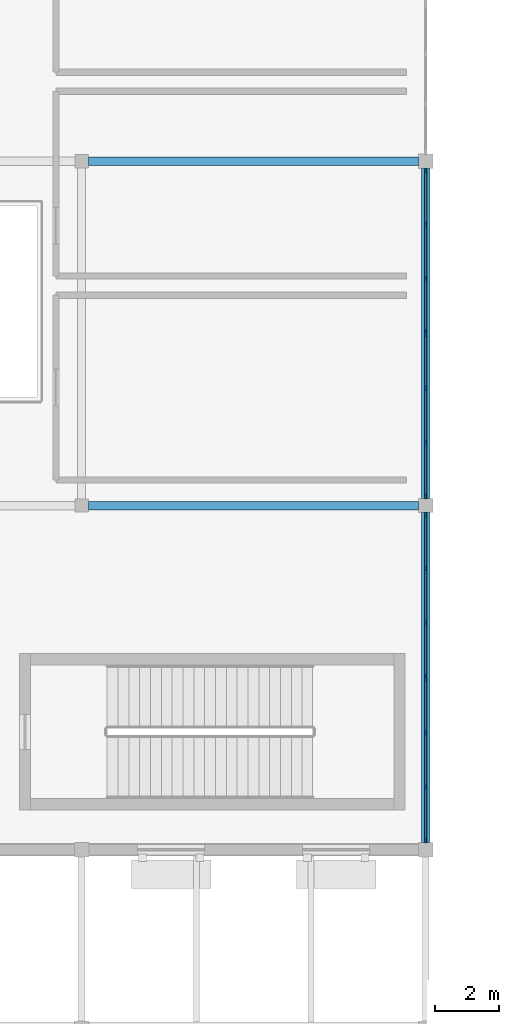
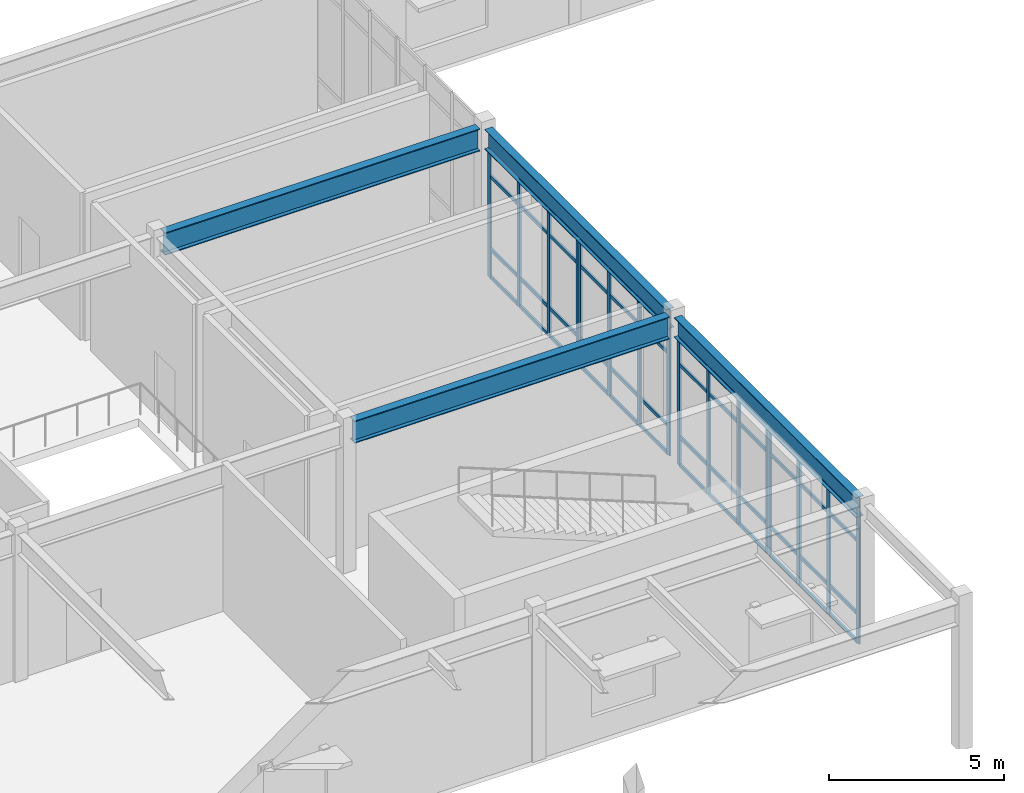
# One storey, part 10 of 72: 63 members, 4 beams, 4 elements without a shape of their own.
"""IFC4 building model written with IfcOpenShell, lengths in metres."""

from ifc_helpers import new_model, si_unit, direction, frame, origin, origin_2d, place, context, subcontext, project, spatial, rectangle, i_section, extrude, material, material_profile, profile_set, type_object, element, aggregate, save


model = new_model("IFC4")

# Units and contexts
model_context = context("Model", 3, precision=1e-05, world=origin(), true_north=direction((0.0, 1.0)))
body_context = subcontext(model_context, "Body", "Model", "MODEL_VIEW")
ifc_project = project(units=[si_unit("LENGTHUNIT", "METRE"), si_unit("AREAUNIT", "SQUARE_METRE"), si_unit("VOLUMEUNIT", "CUBIC_METRE"), si_unit("PLANEANGLEUNIT", "RADIAN"), si_unit("MASSUNIT", "GRAM", prefix="KILO")], contexts=[model_context])

# Site, building, storey
site_placement = place(None, origin())
site = spatial("IfcSite", under=ifc_project, at=site_placement, CompositionType="ELEMENT")
building_placement = place(site_placement, origin())
building = spatial("IfcBuilding", under=site, at=building_placement, Name="Veldera Park Congress Hotel", CompositionType="ELEMENT")
storey_placement = place(building_placement, frame((0.0, 0.0, 5.39990234375)))
storey = spatial("IfcBuildingStorey", under=building, at=storey_placement, Name="L01", CompositionType="ELEMENT", Elevation=5.39990234375)

# Beams
ifc_material_1 = material(Name="Steel ASTM A992 Gr.50", Category="steel")
ifc_material_profile_1 = material_profile(ifc_material_1, i_section(OverallWidth=0.256103515625, OverallDepth=0.693115234375, WebThickness=0.014404296875, FlangeThickness=0.023681640625, at=origin_2d()), Name="W27X114")
ifc_profile_set_1 = profile_set([ifc_material_profile_1], Name="Steel ASTM A992 Gr.50")
beam_type_1 = type_object("IfcBeamType", Name="BM-W27", PredefinedType="BEAM", material=ifc_profile_set_1)
for number, where, z_axis, x_axis, name in (
    (1, (-45.800048828125, -51.97509765625, 4.78369140625), (0.0, 1.0, 0.0), (-1.0, 0.0, 0.0), "L01 Girder BM-W27 688"),
    (2, (-45.800048828125, -41.175048828125, 4.78369140625), (0.0, 1.0, 0.0), (-1.0, 0.0, 0.0), "L01 Girder BM-W27 689"),
):
    element("IfcBeam", number, at=place(storey_placement, frame(where, z_axis=z_axis, x_axis=x_axis)), inside=storey, type_object=beam_type_1, Name=name, PredefinedType="BEAM", context=body_context, shape_type="SweptSolid", body=[
        extrude(i_section(OverallWidth=0.256103515625, OverallDepth=0.693115234375, WebThickness=0.014404296875, FlangeThickness=0.023681640625, at=origin_2d()), origin(), (0.0, 0.0, 1.0), 10.35009765625),
    ])
ifc_material_profile_2 = material_profile(ifc_material_1, i_section(OverallWidth=0.26708984375, OverallDepth=0.779052734375, WebThickness=0.0166015625, FlangeThickness=0.030029296875, at=origin_2d()), Name="W30X148")
ifc_profile_set_2 = profile_set([ifc_material_profile_2], Name="Steel ASTM A992 Gr.50")
beam_type_2 = type_object("IfcBeamType", Name="BM-W30", PredefinedType="BEAM", material=ifc_profile_set_2)
for number, where, z_axis, x_axis, name in (
    (3, (-56.389892578125, -41.39990234375, 4.740478515625), (1.0, 0.0, 0.0), (0.0, 1.0, 0.0), "L01 Girder BM-W30 559"),
    (4, (-56.389892578125, -30.60009765625, 4.740478515625), (1.0, 0.0, 0.0), (0.0, 1.0, 0.0), "L01 Girder BM-W30 564"),
):
    element("IfcBeam", number, at=place(storey_placement, frame(where, z_axis=z_axis, x_axis=x_axis)), inside=storey, type_object=beam_type_2, Name=name, PredefinedType="BEAM", context=body_context, shape_type="SweptSolid", body=[
        extrude(i_section(OverallWidth=0.26708984375, OverallDepth=0.779052734375, WebThickness=0.0166015625, FlangeThickness=0.030029296875, at=origin_2d()), origin(), (0.0, 0.0, 1.0), 10.364990234375),
    ])

# Curtain wall, members
ifc_material_2 = material(Name="Low-E Triple Insulating Glass Unit (SHGC 0.22)", Category="glass")
curtain_wall_type = type_object("IfcCurtainWallType", Name="CW-SPA", PredefinedType="NOTDEFINED", material=ifc_material_2)
curtain_wall_1_placement = place(storey_placement, origin())
curtain_wall_1 = element("IfcCurtainWall", 5, at=curtain_wall_1_placement, inside=storey, type_object=curtain_wall_type, Name="L01 Curtain Wall CW3-V3E-L01-039", PredefinedType="NOTDEFINED")
ifc_material_3 = material(Name="Anodised Aluminium Alloy 6063-T6", Category="aluminium")
ifc_material_profile_3 = material_profile(ifc_material_3, rectangle(XDim=0.06005859375, YDim=0.159912109375, at=origin_2d()), Name="ALU 60x160")
ifc_profile_set_3 = profile_set([ifc_material_profile_3], Name="Anodised Aluminium Alloy 6063-T6")
member_type_1 = type_object("IfcMemberType", Name="CWM-160", PredefinedType="MULLION", material=ifc_profile_set_3)
member_1_placement = place(storey_placement, frame((-45.800048828125, -51.905029296875, 0.0), z_axis=(0.0, 0.0, 1.0), x_axis=(-1.0, 0.0, 0.0)))
member_1 = element("IfcMember", 6, at=member_1_placement, type_object=member_type_1, Name="CW-SPA mullion 1", PredefinedType="MULLION", context=body_context, shape_type="SweptSolid", body=[
    extrude(rectangle(XDim=0.06005859375, YDim=0.159912109375, at=origin_2d()), origin(), (0.0, 0.0, 1.0), 4.43212890625),
])
member_2_placement = place(storey_placement, frame((-45.800048828125, -50.228271484375, 0.0), z_axis=(0.0, 0.0, 1.0), x_axis=(-1.0, 0.0, 0.0)))
member_2 = element("IfcMember", 7, at=member_2_placement, type_object=member_type_1, Name="CW-SPA mullion 2", PredefinedType="MULLION", context=body_context, shape_type="SweptSolid", body=[
    extrude(rectangle(XDim=0.06005859375, YDim=0.159912109375, at=origin_2d()), origin(), (0.0, 0.0, 1.0), 4.43212890625),
])
member_3_placement = place(storey_placement, frame((-45.800048828125, -48.521728515625, 0.0), z_axis=(0.0, 0.0, 1.0), x_axis=(-1.0, 0.0, 0.0)))
member_3 = element("IfcMember", 8, at=member_3_placement, type_object=member_type_1, Name="CW-SPA mullion 3", PredefinedType="MULLION", context=body_context, shape_type="SweptSolid", body=[
    extrude(rectangle(XDim=0.06005859375, YDim=0.159912109375, at=origin_2d()), origin(), (0.0, 0.0, 1.0), 4.43212890625),
])
member_4_placement = place(storey_placement, frame((-45.800048828125, -46.844970703125, 0.0), z_axis=(0.0, 0.0, 1.0), x_axis=(-1.0, 0.0, 0.0)))
member_4 = element("IfcMember", 9, at=member_4_placement, type_object=member_type_1, Name="CW-SPA mullion 4", PredefinedType="MULLION", context=body_context, shape_type="SweptSolid", body=[
    extrude(rectangle(XDim=0.06005859375, YDim=0.159912109375, at=origin_2d()), origin(), (0.0, 0.0, 1.0), 4.43212890625),
])

curtain_wall_2_placement = place(storey_placement, origin())
curtain_wall_2 = element("IfcCurtainWall", 10, at=curtain_wall_2_placement, inside=storey, type_object=curtain_wall_type, Name="L01 Curtain Wall CW3-V3E-L01-040", PredefinedType="NOTDEFINED")
member_5_placement = place(storey_placement, frame((-45.800048828125, -46.7548828125, 0.0), z_axis=(0.0, 0.0, 1.0), x_axis=(-1.0, 0.0, 0.0)))
member_5 = element("IfcMember", 11, at=member_5_placement, type_object=member_type_1, Name="CW-SPA mullion 1", PredefinedType="MULLION", context=body_context, shape_type="SweptSolid", body=[
    extrude(rectangle(XDim=0.06005859375, YDim=0.159912109375, at=origin_2d()), origin(), (0.0, 0.0, 1.0), 4.43212890625),
])
member_6_placement = place(storey_placement, frame((-45.800048828125, -45.078369140625, 0.0), z_axis=(0.0, 0.0, 1.0), x_axis=(-1.0, 0.0, 0.0)))
member_6 = element("IfcMember", 12, at=member_6_placement, type_object=member_type_1, Name="CW-SPA mullion 2", PredefinedType="MULLION", context=body_context, shape_type="SweptSolid", body=[
    extrude(rectangle(XDim=0.06005859375, YDim=0.159912109375, at=origin_2d()), origin(), (0.0, 0.0, 1.0), 4.43212890625),
])
member_7_placement = place(storey_placement, frame((-45.800048828125, -43.37158203125, 0.0), z_axis=(0.0, 0.0, 1.0), x_axis=(-1.0, 0.0, 0.0)))
member_7 = element("IfcMember", 13, at=member_7_placement, type_object=member_type_1, Name="CW-SPA mullion 3", PredefinedType="MULLION", context=body_context, shape_type="SweptSolid", body=[
    extrude(rectangle(XDim=0.06005859375, YDim=0.159912109375, at=origin_2d()), origin(), (0.0, 0.0, 1.0), 4.43212890625),
])
member_8_placement = place(storey_placement, frame((-45.800048828125, -41.695068359375, 0.0), z_axis=(0.0, 0.0, 1.0), x_axis=(-1.0, 0.0, 0.0)))
member_8 = element("IfcMember", 14, at=member_8_placement, type_object=member_type_1, Name="CW-SPA mullion 4", PredefinedType="MULLION", context=body_context, shape_type="SweptSolid", body=[
    extrude(rectangle(XDim=0.06005859375, YDim=0.159912109375, at=origin_2d()), origin(), (0.0, 0.0, 1.0), 4.43212890625),
])

curtain_wall_3_placement = place(storey_placement, origin())
curtain_wall_3 = element("IfcCurtainWall", 15, at=curtain_wall_3_placement, inside=storey, type_object=curtain_wall_type, Name="L01 Curtain Wall CW3-V3E-L01-041", PredefinedType="NOTDEFINED")
member_9_placement = place(storey_placement, frame((-45.800048828125, -41.10498046875, 0.0), z_axis=(0.0, 0.0, 1.0), x_axis=(-1.0, 0.0, 0.0)))
member_9 = element("IfcMember", 16, at=member_9_placement, type_object=member_type_1, Name="CW-SPA mullion 1", PredefinedType="MULLION", context=body_context, shape_type="SweptSolid", body=[
    extrude(rectangle(XDim=0.06005859375, YDim=0.159912109375, at=origin_2d()), origin(), (0.0, 0.0, 1.0), 4.43212890625),
])
member_10_placement = place(storey_placement, frame((-45.800048828125, -39.42822265625, 0.0), z_axis=(0.0, 0.0, 1.0), x_axis=(-1.0, 0.0, 0.0)))
member_10 = element("IfcMember", 17, at=member_10_placement, type_object=member_type_1, Name="CW-SPA mullion 2", PredefinedType="MULLION", context=body_context, shape_type="SweptSolid", body=[
    extrude(rectangle(XDim=0.06005859375, YDim=0.159912109375, at=origin_2d()), origin(), (0.0, 0.0, 1.0), 4.43212890625),
])
member_11_placement = place(storey_placement, frame((-45.800048828125, -37.7216796875, 0.0), z_axis=(0.0, 0.0, 1.0), x_axis=(-1.0, 0.0, 0.0)))
member_11 = element("IfcMember", 18, at=member_11_placement, type_object=member_type_1, Name="CW-SPA mullion 3", PredefinedType="MULLION", context=body_context, shape_type="SweptSolid", body=[
    extrude(rectangle(XDim=0.06005859375, YDim=0.159912109375, at=origin_2d()), origin(), (0.0, 0.0, 1.0), 4.43212890625),
])
member_12_placement = place(storey_placement, frame((-45.800048828125, -36.044921875, 0.0), z_axis=(0.0, 0.0, 1.0), x_axis=(-1.0, 0.0, 0.0)))
member_12 = element("IfcMember", 19, at=member_12_placement, type_object=member_type_1, Name="CW-SPA mullion 4", PredefinedType="MULLION", context=body_context, shape_type="SweptSolid", body=[
    extrude(rectangle(XDim=0.06005859375, YDim=0.159912109375, at=origin_2d()), origin(), (0.0, 0.0, 1.0), 4.43212890625),
])

curtain_wall_4_placement = place(storey_placement, origin())
curtain_wall_4 = element("IfcCurtainWall", 20, at=curtain_wall_4_placement, inside=storey, type_object=curtain_wall_type, Name="L01 Curtain Wall CW3-V3E-L01-042", PredefinedType="NOTDEFINED")
member_13_placement = place(storey_placement, frame((-45.800048828125, -35.955078125, 0.0), z_axis=(0.0, 0.0, 1.0), x_axis=(-1.0, 0.0, 0.0)))
member_13 = element("IfcMember", 21, at=member_13_placement, type_object=member_type_1, Name="CW-SPA mullion 1", PredefinedType="MULLION", context=body_context, shape_type="SweptSolid", body=[
    extrude(rectangle(XDim=0.06005859375, YDim=0.159912109375, at=origin_2d()), origin(), (0.0, 0.0, 1.0), 4.43212890625),
])
member_14_placement = place(storey_placement, frame((-45.800048828125, -34.2783203125, 0.0), z_axis=(0.0, 0.0, 1.0), x_axis=(-1.0, 0.0, 0.0)))
member_14 = element("IfcMember", 22, at=member_14_placement, type_object=member_type_1, Name="CW-SPA mullion 2", PredefinedType="MULLION", context=body_context, shape_type="SweptSolid", body=[
    extrude(rectangle(XDim=0.06005859375, YDim=0.159912109375, at=origin_2d()), origin(), (0.0, 0.0, 1.0), 4.43212890625),
])
member_15_placement = place(storey_placement, frame((-45.800048828125, -32.57177734375, 0.0), z_axis=(0.0, 0.0, 1.0), x_axis=(-1.0, 0.0, 0.0)))
member_15 = element("IfcMember", 23, at=member_15_placement, type_object=member_type_1, Name="CW-SPA mullion 3", PredefinedType="MULLION", context=body_context, shape_type="SweptSolid", body=[
    extrude(rectangle(XDim=0.06005859375, YDim=0.159912109375, at=origin_2d()), origin(), (0.0, 0.0, 1.0), 4.43212890625),
])
member_16_placement = place(storey_placement, frame((-45.800048828125, -30.89501953125, 0.0), z_axis=(0.0, 0.0, 1.0), x_axis=(-1.0, 0.0, 0.0)))
member_16 = element("IfcMember", 24, at=member_16_placement, type_object=member_type_1, Name="CW-SPA mullion 4", PredefinedType="MULLION", context=body_context, shape_type="SweptSolid", body=[
    extrude(rectangle(XDim=0.06005859375, YDim=0.159912109375, at=origin_2d()), origin(), (0.0, 0.0, 1.0), 4.43212890625),
])

# Member
ifc_material_profile_4 = material_profile(ifc_material_3, rectangle(XDim=0.06005859375, YDim=0.1201171875, at=origin_2d()), Name="ALU 60x120")
ifc_profile_set_4 = profile_set([ifc_material_profile_4], Name="Anodised Aluminium Alloy 6063-T6")
member_type_2 = type_object("IfcMemberType", Name="CWT-120", PredefinedType="USERDEFINED", material=ifc_profile_set_4)
member_17_placement = place(storey_placement, frame((-45.800048828125, -51.875, 0.030029296875), z_axis=(0.0, 1.0, 0.0), x_axis=(-1.0, 0.0, 0.0)))
member_17 = element("IfcMember", 25, at=member_17_placement, type_object=member_type_2, Name="CW-SPA transom 1.1", ObjectType="TRANSOM", PredefinedType="USERDEFINED", context=body_context, shape_type="SweptSolid", body=[
    extrude(rectangle(XDim=0.06005859375, YDim=0.1201171875, at=origin_2d()), origin(), (0.0, 0.0, 1.0), 1.61669921875),
])

member_18_placement = place(storey_placement, frame((-45.800048828125, -51.875, 1.0), z_axis=(0.0, 1.0, 0.0), x_axis=(-1.0, 0.0, 0.0)))
member_18 = element("IfcMember", 26, at=member_18_placement, type_object=member_type_2, Name="CW-SPA transom 1.2", ObjectType="TRANSOM", PredefinedType="USERDEFINED", context=body_context, shape_type="SweptSolid", body=[
    extrude(rectangle(XDim=0.06005859375, YDim=0.1201171875, at=origin_2d()), origin(), (0.0, 0.0, 1.0), 1.61669921875),
])

member_19_placement = place(storey_placement, frame((-45.800048828125, -51.875, 3.531982421875), z_axis=(0.0, 1.0, 0.0), x_axis=(-1.0, 0.0, 0.0)))
member_19 = element("IfcMember", 27, at=member_19_placement, type_object=member_type_2, Name="CW-SPA transom 1.3", ObjectType="TRANSOM", PredefinedType="USERDEFINED", context=body_context, shape_type="SweptSolid", body=[
    extrude(rectangle(XDim=0.06005859375, YDim=0.1201171875, at=origin_2d()), origin(), (0.0, 0.0, 1.0), 1.61669921875),
])

member_20_placement = place(storey_placement, frame((-45.800048828125, -51.875, 4.402099609375), z_axis=(0.0, 1.0, 0.0), x_axis=(-1.0, 0.0, 0.0)))
member_20 = element("IfcMember", 28, at=member_20_placement, type_object=member_type_2, Name="CW-SPA transom 1.4", ObjectType="TRANSOM", PredefinedType="USERDEFINED", context=body_context, shape_type="SweptSolid", body=[
    extrude(rectangle(XDim=0.06005859375, YDim=0.1201171875, at=origin_2d()), origin(), (0.0, 0.0, 1.0), 1.61669921875),
])

member_21_placement = place(storey_placement, frame((-45.800048828125, -50.1982421875, 0.030029296875), z_axis=(0.0, 1.0, 0.0), x_axis=(-1.0, 0.0, 0.0)))
member_21 = element("IfcMember", 29, at=member_21_placement, type_object=member_type_2, Name="CW-SPA transom 2.1", ObjectType="TRANSOM", PredefinedType="USERDEFINED", context=body_context, shape_type="SweptSolid", body=[
    extrude(rectangle(XDim=0.06005859375, YDim=0.1201171875, at=origin_2d()), origin(), (0.0, 0.0, 1.0), 1.646484375),
])

member_22_placement = place(storey_placement, frame((-45.800048828125, -50.1982421875, 1.0), z_axis=(0.0, 1.0, 0.0), x_axis=(-1.0, 0.0, 0.0)))
member_22 = element("IfcMember", 30, at=member_22_placement, type_object=member_type_2, Name="CW-SPA transom 2.2", ObjectType="TRANSOM", PredefinedType="USERDEFINED", context=body_context, shape_type="SweptSolid", body=[
    extrude(rectangle(XDim=0.06005859375, YDim=0.1201171875, at=origin_2d()), origin(), (0.0, 0.0, 1.0), 1.646484375),
])

member_23_placement = place(storey_placement, frame((-45.800048828125, -50.1982421875, 3.531982421875), z_axis=(0.0, 1.0, 0.0), x_axis=(-1.0, 0.0, 0.0)))
member_23 = element("IfcMember", 31, at=member_23_placement, type_object=member_type_2, Name="CW-SPA transom 2.3", ObjectType="TRANSOM", PredefinedType="USERDEFINED", context=body_context, shape_type="SweptSolid", body=[
    extrude(rectangle(XDim=0.06005859375, YDim=0.1201171875, at=origin_2d()), origin(), (0.0, 0.0, 1.0), 1.646484375),
])

member_24_placement = place(storey_placement, frame((-45.800048828125, -50.1982421875, 4.402099609375), z_axis=(0.0, 1.0, 0.0), x_axis=(-1.0, 0.0, 0.0)))
member_24 = element("IfcMember", 32, at=member_24_placement, type_object=member_type_2, Name="CW-SPA transom 2.4", ObjectType="TRANSOM", PredefinedType="USERDEFINED", context=body_context, shape_type="SweptSolid", body=[
    extrude(rectangle(XDim=0.06005859375, YDim=0.1201171875, at=origin_2d()), origin(), (0.0, 0.0, 1.0), 1.646484375),
])

member_25_placement = place(storey_placement, frame((-45.800048828125, -48.49169921875, 0.030029296875), z_axis=(0.0, 1.0, 0.0), x_axis=(-1.0, 0.0, 0.0)))
member_25 = element("IfcMember", 33, at=member_25_placement, type_object=member_type_2, Name="CW-SPA transom 3.1", ObjectType="TRANSOM", PredefinedType="USERDEFINED", context=body_context, shape_type="SweptSolid", body=[
    extrude(rectangle(XDim=0.06005859375, YDim=0.1201171875, at=origin_2d()), origin(), (0.0, 0.0, 1.0), 1.61669921875),
])

member_26_placement = place(storey_placement, frame((-45.800048828125, -48.49169921875, 1.0), z_axis=(0.0, 1.0, 0.0), x_axis=(-1.0, 0.0, 0.0)))
member_26 = element("IfcMember", 34, at=member_26_placement, type_object=member_type_2, Name="CW-SPA transom 3.2", ObjectType="TRANSOM", PredefinedType="USERDEFINED", context=body_context, shape_type="SweptSolid", body=[
    extrude(rectangle(XDim=0.06005859375, YDim=0.1201171875, at=origin_2d()), origin(), (0.0, 0.0, 1.0), 1.61669921875),
])

member_27_placement = place(storey_placement, frame((-45.800048828125, -48.49169921875, 3.531982421875), z_axis=(0.0, 1.0, 0.0), x_axis=(-1.0, 0.0, 0.0)))
member_27 = element("IfcMember", 35, at=member_27_placement, type_object=member_type_2, Name="CW-SPA transom 3.3", ObjectType="TRANSOM", PredefinedType="USERDEFINED", context=body_context, shape_type="SweptSolid", body=[
    extrude(rectangle(XDim=0.06005859375, YDim=0.1201171875, at=origin_2d()), origin(), (0.0, 0.0, 1.0), 1.61669921875),
])

member_28_placement = place(storey_placement, frame((-45.800048828125, -48.49169921875, 4.402099609375), z_axis=(0.0, 1.0, 0.0), x_axis=(-1.0, 0.0, 0.0)))
member_28 = element("IfcMember", 36, at=member_28_placement, type_object=member_type_2, Name="CW-SPA transom 3.4", ObjectType="TRANSOM", PredefinedType="USERDEFINED", context=body_context, shape_type="SweptSolid", body=[
    extrude(rectangle(XDim=0.06005859375, YDim=0.1201171875, at=origin_2d()), origin(), (0.0, 0.0, 1.0), 1.61669921875),
])

aggregate(curtain_wall_1, [member_1, member_2, member_3, member_4, member_17, member_18, member_19, member_20, member_21, member_22, member_23, member_24, member_25, member_26, member_27, member_28])

member_29_placement = place(storey_placement, frame((-45.800048828125, -46.72509765625, 0.030029296875), z_axis=(0.0, 1.0, 0.0), x_axis=(-1.0, 0.0, 0.0)))
member_29 = element("IfcMember", 37, at=member_29_placement, type_object=member_type_2, Name="CW-SPA transom 1.1", ObjectType="TRANSOM", PredefinedType="USERDEFINED", context=body_context, shape_type="SweptSolid", body=[
    extrude(rectangle(XDim=0.06005859375, YDim=0.1201171875, at=origin_2d()), origin(), (0.0, 0.0, 1.0), 1.61669921875),
])

member_30_placement = place(storey_placement, frame((-45.800048828125, -46.72509765625, 1.0), z_axis=(0.0, 1.0, 0.0), x_axis=(-1.0, 0.0, 0.0)))
member_30 = element("IfcMember", 38, at=member_30_placement, type_object=member_type_2, Name="CW-SPA transom 1.2", ObjectType="TRANSOM", PredefinedType="USERDEFINED", context=body_context, shape_type="SweptSolid", body=[
    extrude(rectangle(XDim=0.06005859375, YDim=0.1201171875, at=origin_2d()), origin(), (0.0, 0.0, 1.0), 1.61669921875),
])

member_31_placement = place(storey_placement, frame((-45.800048828125, -46.72509765625, 3.531982421875), z_axis=(0.0, 1.0, 0.0), x_axis=(-1.0, 0.0, 0.0)))
member_31 = element("IfcMember", 39, at=member_31_placement, type_object=member_type_2, Name="CW-SPA transom 1.3", ObjectType="TRANSOM", PredefinedType="USERDEFINED", context=body_context, shape_type="SweptSolid", body=[
    extrude(rectangle(XDim=0.06005859375, YDim=0.1201171875, at=origin_2d()), origin(), (0.0, 0.0, 1.0), 1.61669921875),
])

member_32_placement = place(storey_placement, frame((-45.800048828125, -46.72509765625, 4.402099609375), z_axis=(0.0, 1.0, 0.0), x_axis=(-1.0, 0.0, 0.0)))
member_32 = element("IfcMember", 40, at=member_32_placement, type_object=member_type_2, Name="CW-SPA transom 1.4", ObjectType="TRANSOM", PredefinedType="USERDEFINED", context=body_context, shape_type="SweptSolid", body=[
    extrude(rectangle(XDim=0.06005859375, YDim=0.1201171875, at=origin_2d()), origin(), (0.0, 0.0, 1.0), 1.61669921875),
])

member_33_placement = place(storey_placement, frame((-45.800048828125, -45.04833984375, 0.030029296875), z_axis=(0.0, 1.0, 0.0), x_axis=(-1.0, 0.0, 0.0)))
member_33 = element("IfcMember", 41, at=member_33_placement, type_object=member_type_2, Name="CW-SPA transom 2.1", ObjectType="TRANSOM", PredefinedType="USERDEFINED", context=body_context, shape_type="SweptSolid", body=[
    extrude(rectangle(XDim=0.06005859375, YDim=0.1201171875, at=origin_2d()), origin(), (0.0, 0.0, 1.0), 1.646728515625),
])

member_34_placement = place(storey_placement, frame((-45.800048828125, -45.04833984375, 1.0), z_axis=(0.0, 1.0, 0.0), x_axis=(-1.0, 0.0, 0.0)))
member_34 = element("IfcMember", 42, at=member_34_placement, type_object=member_type_2, Name="CW-SPA transom 2.2", ObjectType="TRANSOM", PredefinedType="USERDEFINED", context=body_context, shape_type="SweptSolid", body=[
    extrude(rectangle(XDim=0.06005859375, YDim=0.1201171875, at=origin_2d()), origin(), (0.0, 0.0, 1.0), 1.646728515625),
])

member_35_placement = place(storey_placement, frame((-45.800048828125, -45.04833984375, 3.531982421875), z_axis=(0.0, 1.0, 0.0), x_axis=(-1.0, 0.0, 0.0)))
member_35 = element("IfcMember", 43, at=member_35_placement, type_object=member_type_2, Name="CW-SPA transom 2.3", ObjectType="TRANSOM", PredefinedType="USERDEFINED", context=body_context, shape_type="SweptSolid", body=[
    extrude(rectangle(XDim=0.06005859375, YDim=0.1201171875, at=origin_2d()), origin(), (0.0, 0.0, 1.0), 1.646728515625),
])

member_36_placement = place(storey_placement, frame((-45.800048828125, -45.04833984375, 4.402099609375), z_axis=(0.0, 1.0, 0.0), x_axis=(-1.0, 0.0, 0.0)))
member_36 = element("IfcMember", 44, at=member_36_placement, type_object=member_type_2, Name="CW-SPA transom 2.4", ObjectType="TRANSOM", PredefinedType="USERDEFINED", context=body_context, shape_type="SweptSolid", body=[
    extrude(rectangle(XDim=0.06005859375, YDim=0.1201171875, at=origin_2d()), origin(), (0.0, 0.0, 1.0), 1.646728515625),
])

member_37_placement = place(storey_placement, frame((-45.800048828125, -43.341552734375, 0.030029296875), z_axis=(0.0, 1.0, 0.0), x_axis=(-1.0, 0.0, 0.0)))
member_37 = element("IfcMember", 45, at=member_37_placement, type_object=member_type_2, Name="CW-SPA transom 3.1", ObjectType="TRANSOM", PredefinedType="USERDEFINED", context=body_context, shape_type="SweptSolid", body=[
    extrude(rectangle(XDim=0.06005859375, YDim=0.1201171875, at=origin_2d()), origin(), (0.0, 0.0, 1.0), 1.616455078125),
])

member_38_placement = place(storey_placement, frame((-45.800048828125, -43.341552734375, 1.0), z_axis=(0.0, 1.0, 0.0), x_axis=(-1.0, 0.0, 0.0)))
member_38 = element("IfcMember", 46, at=member_38_placement, type_object=member_type_2, Name="CW-SPA transom 3.2", ObjectType="TRANSOM", PredefinedType="USERDEFINED", context=body_context, shape_type="SweptSolid", body=[
    extrude(rectangle(XDim=0.06005859375, YDim=0.1201171875, at=origin_2d()), origin(), (0.0, 0.0, 1.0), 1.616455078125),
])

member_39_placement = place(storey_placement, frame((-45.800048828125, -43.341552734375, 3.531982421875), z_axis=(0.0, 1.0, 0.0), x_axis=(-1.0, 0.0, 0.0)))
member_39 = element("IfcMember", 47, at=member_39_placement, type_object=member_type_2, Name="CW-SPA transom 3.3", ObjectType="TRANSOM", PredefinedType="USERDEFINED", context=body_context, shape_type="SweptSolid", body=[
    extrude(rectangle(XDim=0.06005859375, YDim=0.1201171875, at=origin_2d()), origin(), (0.0, 0.0, 1.0), 1.616455078125),
])

member_40_placement = place(storey_placement, frame((-45.800048828125, -43.341552734375, 4.402099609375), z_axis=(0.0, 1.0, 0.0), x_axis=(-1.0, 0.0, 0.0)))
member_40 = element("IfcMember", 48, at=member_40_placement, type_object=member_type_2, Name="CW-SPA transom 3.4", ObjectType="TRANSOM", PredefinedType="USERDEFINED", context=body_context, shape_type="SweptSolid", body=[
    extrude(rectangle(XDim=0.06005859375, YDim=0.1201171875, at=origin_2d()), origin(), (0.0, 0.0, 1.0), 1.616455078125),
])

aggregate(curtain_wall_2, [member_5, member_6, member_7, member_8, member_29, member_30, member_31, member_32, member_33, member_34, member_35, member_36, member_37, member_38, member_39, member_40])

member_41_placement = place(storey_placement, frame((-45.800048828125, -41.074951171875, 0.030029296875), z_axis=(0.0, 1.0, 0.0), x_axis=(-1.0, 0.0, 0.0)))
member_41 = element("IfcMember", 49, at=member_41_placement, type_object=member_type_2, Name="CW-SPA transom 1.1", ObjectType="TRANSOM", PredefinedType="USERDEFINED", context=body_context, shape_type="SweptSolid", body=[
    extrude(rectangle(XDim=0.06005859375, YDim=0.1201171875, at=origin_2d()), origin(), (0.0, 0.0, 1.0), 1.61669921875),
])

member_42_placement = place(storey_placement, frame((-45.800048828125, -41.074951171875, 1.0), z_axis=(0.0, 1.0, 0.0), x_axis=(-1.0, 0.0, 0.0)))
member_42 = element("IfcMember", 50, at=member_42_placement, type_object=member_type_2, Name="CW-SPA transom 1.2", ObjectType="TRANSOM", PredefinedType="USERDEFINED", context=body_context, shape_type="SweptSolid", body=[
    extrude(rectangle(XDim=0.06005859375, YDim=0.1201171875, at=origin_2d()), origin(), (0.0, 0.0, 1.0), 1.61669921875),
])

member_43_placement = place(storey_placement, frame((-45.800048828125, -41.074951171875, 3.531982421875), z_axis=(0.0, 1.0, 0.0), x_axis=(-1.0, 0.0, 0.0)))
member_43 = element("IfcMember", 51, at=member_43_placement, type_object=member_type_2, Name="CW-SPA transom 1.3", ObjectType="TRANSOM", PredefinedType="USERDEFINED", context=body_context, shape_type="SweptSolid", body=[
    extrude(rectangle(XDim=0.06005859375, YDim=0.1201171875, at=origin_2d()), origin(), (0.0, 0.0, 1.0), 1.61669921875),
])

member_44_placement = place(storey_placement, frame((-45.800048828125, -41.074951171875, 4.402099609375), z_axis=(0.0, 1.0, 0.0), x_axis=(-1.0, 0.0, 0.0)))
member_44 = element("IfcMember", 52, at=member_44_placement, type_object=member_type_2, Name="CW-SPA transom 1.4", ObjectType="TRANSOM", PredefinedType="USERDEFINED", context=body_context, shape_type="SweptSolid", body=[
    extrude(rectangle(XDim=0.06005859375, YDim=0.1201171875, at=origin_2d()), origin(), (0.0, 0.0, 1.0), 1.61669921875),
])

member_45_placement = place(storey_placement, frame((-45.800048828125, -39.3984375, 0.030029296875), z_axis=(0.0, 1.0, 0.0), x_axis=(-1.0, 0.0, 0.0)))
member_45 = element("IfcMember", 53, at=member_45_placement, type_object=member_type_2, Name="CW-SPA transom 2.1", ObjectType="TRANSOM", PredefinedType="USERDEFINED", context=body_context, shape_type="SweptSolid", body=[
    extrude(rectangle(XDim=0.06005859375, YDim=0.1201171875, at=origin_2d()), origin(), (0.0, 0.0, 1.0), 1.646728515625),
])

member_46_placement = place(storey_placement, frame((-45.800048828125, -39.3984375, 1.0), z_axis=(0.0, 1.0, 0.0), x_axis=(-1.0, 0.0, 0.0)))
member_46 = element("IfcMember", 54, at=member_46_placement, type_object=member_type_2, Name="CW-SPA transom 2.2", ObjectType="TRANSOM", PredefinedType="USERDEFINED", context=body_context, shape_type="SweptSolid", body=[
    extrude(rectangle(XDim=0.06005859375, YDim=0.1201171875, at=origin_2d()), origin(), (0.0, 0.0, 1.0), 1.646728515625),
])

member_47_placement = place(storey_placement, frame((-45.800048828125, -39.3984375, 3.531982421875), z_axis=(0.0, 1.0, 0.0), x_axis=(-1.0, 0.0, 0.0)))
member_47 = element("IfcMember", 55, at=member_47_placement, type_object=member_type_2, Name="CW-SPA transom 2.3", ObjectType="TRANSOM", PredefinedType="USERDEFINED", context=body_context, shape_type="SweptSolid", body=[
    extrude(rectangle(XDim=0.06005859375, YDim=0.1201171875, at=origin_2d()), origin(), (0.0, 0.0, 1.0), 1.646728515625),
])

member_48_placement = place(storey_placement, frame((-45.800048828125, -39.3984375, 4.402099609375), z_axis=(0.0, 1.0, 0.0), x_axis=(-1.0, 0.0, 0.0)))
member_48 = element("IfcMember", 56, at=member_48_placement, type_object=member_type_2, Name="CW-SPA transom 2.4", ObjectType="TRANSOM", PredefinedType="USERDEFINED", context=body_context, shape_type="SweptSolid", body=[
    extrude(rectangle(XDim=0.06005859375, YDim=0.1201171875, at=origin_2d()), origin(), (0.0, 0.0, 1.0), 1.646728515625),
])

member_49_placement = place(storey_placement, frame((-45.800048828125, -37.691650390625, 0.030029296875), z_axis=(0.0, 1.0, 0.0), x_axis=(-1.0, 0.0, 0.0)))
member_49 = element("IfcMember", 57, at=member_49_placement, type_object=member_type_2, Name="CW-SPA transom 3.1", ObjectType="TRANSOM", PredefinedType="USERDEFINED", context=body_context, shape_type="SweptSolid", body=[
    extrude(rectangle(XDim=0.06005859375, YDim=0.1201171875, at=origin_2d()), origin(), (0.0, 0.0, 1.0), 1.61669921875),
])

member_50_placement = place(storey_placement, frame((-45.800048828125, -37.691650390625, 1.0), z_axis=(0.0, 1.0, 0.0), x_axis=(-1.0, 0.0, 0.0)))
member_50 = element("IfcMember", 58, at=member_50_placement, type_object=member_type_2, Name="CW-SPA transom 3.2", ObjectType="TRANSOM", PredefinedType="USERDEFINED", context=body_context, shape_type="SweptSolid", body=[
    extrude(rectangle(XDim=0.06005859375, YDim=0.1201171875, at=origin_2d()), origin(), (0.0, 0.0, 1.0), 1.61669921875),
])

member_51_placement = place(storey_placement, frame((-45.800048828125, -37.691650390625, 3.531982421875), z_axis=(0.0, 1.0, 0.0), x_axis=(-1.0, 0.0, 0.0)))
member_51 = element("IfcMember", 59, at=member_51_placement, type_object=member_type_2, Name="CW-SPA transom 3.3", ObjectType="TRANSOM", PredefinedType="USERDEFINED", context=body_context, shape_type="SweptSolid", body=[
    extrude(rectangle(XDim=0.06005859375, YDim=0.1201171875, at=origin_2d()), origin(), (0.0, 0.0, 1.0), 1.61669921875),
])

member_52_placement = place(storey_placement, frame((-45.800048828125, -37.691650390625, 4.402099609375), z_axis=(0.0, 1.0, 0.0), x_axis=(-1.0, 0.0, 0.0)))
member_52 = element("IfcMember", 60, at=member_52_placement, type_object=member_type_2, Name="CW-SPA transom 3.4", ObjectType="TRANSOM", PredefinedType="USERDEFINED", context=body_context, shape_type="SweptSolid", body=[
    extrude(rectangle(XDim=0.06005859375, YDim=0.1201171875, at=origin_2d()), origin(), (0.0, 0.0, 1.0), 1.61669921875),
])

aggregate(curtain_wall_3, [member_9, member_10, member_11, member_12, member_41, member_42, member_43, member_44, member_45, member_46, member_47, member_48, member_49, member_50, member_51, member_52])

member_53_placement = place(storey_placement, frame((-45.800048828125, -35.925048828125, 0.030029296875), z_axis=(0.0, 1.0, 0.0), x_axis=(-1.0, 0.0, 0.0)))
member_53 = element("IfcMember", 61, at=member_53_placement, type_object=member_type_2, Name="CW-SPA transom 1.1", ObjectType="TRANSOM", PredefinedType="USERDEFINED", context=body_context, shape_type="SweptSolid", body=[
    extrude(rectangle(XDim=0.06005859375, YDim=0.1201171875, at=origin_2d()), origin(), (0.0, 0.0, 1.0), 1.61669921875),
])

member_54_placement = place(storey_placement, frame((-45.800048828125, -35.925048828125, 1.0), z_axis=(0.0, 1.0, 0.0), x_axis=(-1.0, 0.0, 0.0)))
member_54 = element("IfcMember", 62, at=member_54_placement, type_object=member_type_2, Name="CW-SPA transom 1.2", ObjectType="TRANSOM", PredefinedType="USERDEFINED", context=body_context, shape_type="SweptSolid", body=[
    extrude(rectangle(XDim=0.06005859375, YDim=0.1201171875, at=origin_2d()), origin(), (0.0, 0.0, 1.0), 1.61669921875),
])

member_55_placement = place(storey_placement, frame((-45.800048828125, -35.925048828125, 3.531982421875), z_axis=(0.0, 1.0, 0.0), x_axis=(-1.0, 0.0, 0.0)))
member_55 = element("IfcMember", 63, at=member_55_placement, type_object=member_type_2, Name="CW-SPA transom 1.3", ObjectType="TRANSOM", PredefinedType="USERDEFINED", context=body_context, shape_type="SweptSolid", body=[
    extrude(rectangle(XDim=0.06005859375, YDim=0.1201171875, at=origin_2d()), origin(), (0.0, 0.0, 1.0), 1.61669921875),
])

member_56_placement = place(storey_placement, frame((-45.800048828125, -35.925048828125, 4.402099609375), z_axis=(0.0, 1.0, 0.0), x_axis=(-1.0, 0.0, 0.0)))
member_56 = element("IfcMember", 64, at=member_56_placement, type_object=member_type_2, Name="CW-SPA transom 1.4", ObjectType="TRANSOM", PredefinedType="USERDEFINED", context=body_context, shape_type="SweptSolid", body=[
    extrude(rectangle(XDim=0.06005859375, YDim=0.1201171875, at=origin_2d()), origin(), (0.0, 0.0, 1.0), 1.61669921875),
])

member_57_placement = place(storey_placement, frame((-45.800048828125, -34.248291015625, 0.030029296875), z_axis=(0.0, 1.0, 0.0), x_axis=(-1.0, 0.0, 0.0)))
member_57 = element("IfcMember", 65, at=member_57_placement, type_object=member_type_2, Name="CW-SPA transom 2.1", ObjectType="TRANSOM", PredefinedType="USERDEFINED", context=body_context, shape_type="SweptSolid", body=[
    extrude(rectangle(XDim=0.06005859375, YDim=0.1201171875, at=origin_2d()), origin(), (0.0, 0.0, 1.0), 1.646728515625),
])

member_58_placement = place(storey_placement, frame((-45.800048828125, -34.248291015625, 1.0), z_axis=(0.0, 1.0, 0.0), x_axis=(-1.0, 0.0, 0.0)))
member_58 = element("IfcMember", 66, at=member_58_placement, type_object=member_type_2, Name="CW-SPA transom 2.2", ObjectType="TRANSOM", PredefinedType="USERDEFINED", context=body_context, shape_type="SweptSolid", body=[
    extrude(rectangle(XDim=0.06005859375, YDim=0.1201171875, at=origin_2d()), origin(), (0.0, 0.0, 1.0), 1.646728515625),
])

member_59_placement = place(storey_placement, frame((-45.800048828125, -34.248291015625, 3.531982421875), z_axis=(0.0, 1.0, 0.0), x_axis=(-1.0, 0.0, 0.0)))
member_59 = element("IfcMember", 67, at=member_59_placement, type_object=member_type_2, Name="CW-SPA transom 2.3", ObjectType="TRANSOM", PredefinedType="USERDEFINED", context=body_context, shape_type="SweptSolid", body=[
    extrude(rectangle(XDim=0.06005859375, YDim=0.1201171875, at=origin_2d()), origin(), (0.0, 0.0, 1.0), 1.646728515625),
])

member_60_placement = place(storey_placement, frame((-45.800048828125, -34.248291015625, 4.402099609375), z_axis=(0.0, 1.0, 0.0), x_axis=(-1.0, 0.0, 0.0)))
member_60 = element("IfcMember", 68, at=member_60_placement, type_object=member_type_2, Name="CW-SPA transom 2.4", ObjectType="TRANSOM", PredefinedType="USERDEFINED", context=body_context, shape_type="SweptSolid", body=[
    extrude(rectangle(XDim=0.06005859375, YDim=0.1201171875, at=origin_2d()), origin(), (0.0, 0.0, 1.0), 1.646728515625),
])

member_61_placement = place(storey_placement, frame((-45.800048828125, -32.541748046875, 0.030029296875), z_axis=(0.0, 1.0, 0.0), x_axis=(-1.0, 0.0, 0.0)))
member_61 = element("IfcMember", 69, at=member_61_placement, type_object=member_type_2, Name="CW-SPA transom 3.1", ObjectType="TRANSOM", PredefinedType="USERDEFINED", context=body_context, shape_type="SweptSolid", body=[
    extrude(rectangle(XDim=0.06005859375, YDim=0.1201171875, at=origin_2d()), origin(), (0.0, 0.0, 1.0), 1.61669921875),
])

member_62_placement = place(storey_placement, frame((-45.800048828125, -32.541748046875, 1.0), z_axis=(0.0, 1.0, 0.0), x_axis=(-1.0, 0.0, 0.0)))
member_62 = element("IfcMember", 70, at=member_62_placement, type_object=member_type_2, Name="CW-SPA transom 3.2", ObjectType="TRANSOM", PredefinedType="USERDEFINED", context=body_context, shape_type="SweptSolid", body=[
    extrude(rectangle(XDim=0.06005859375, YDim=0.1201171875, at=origin_2d()), origin(), (0.0, 0.0, 1.0), 1.61669921875),
])

member_63_placement = place(storey_placement, frame((-45.800048828125, -32.541748046875, 3.531982421875), z_axis=(0.0, 1.0, 0.0), x_axis=(-1.0, 0.0, 0.0)))
member_63 = element("IfcMember", 71, at=member_63_placement, type_object=member_type_2, Name="CW-SPA transom 3.3", ObjectType="TRANSOM", PredefinedType="USERDEFINED", context=body_context, shape_type="SweptSolid", body=[
    extrude(rectangle(XDim=0.06005859375, YDim=0.1201171875, at=origin_2d()), origin(), (0.0, 0.0, 1.0), 1.61669921875),
])

aggregate(curtain_wall_4, [member_13, member_14, member_15, member_16, member_53, member_54, member_55, member_56, member_57, member_58, member_59, member_60, member_61, member_62, member_63])

save(model, "model.ifc")
